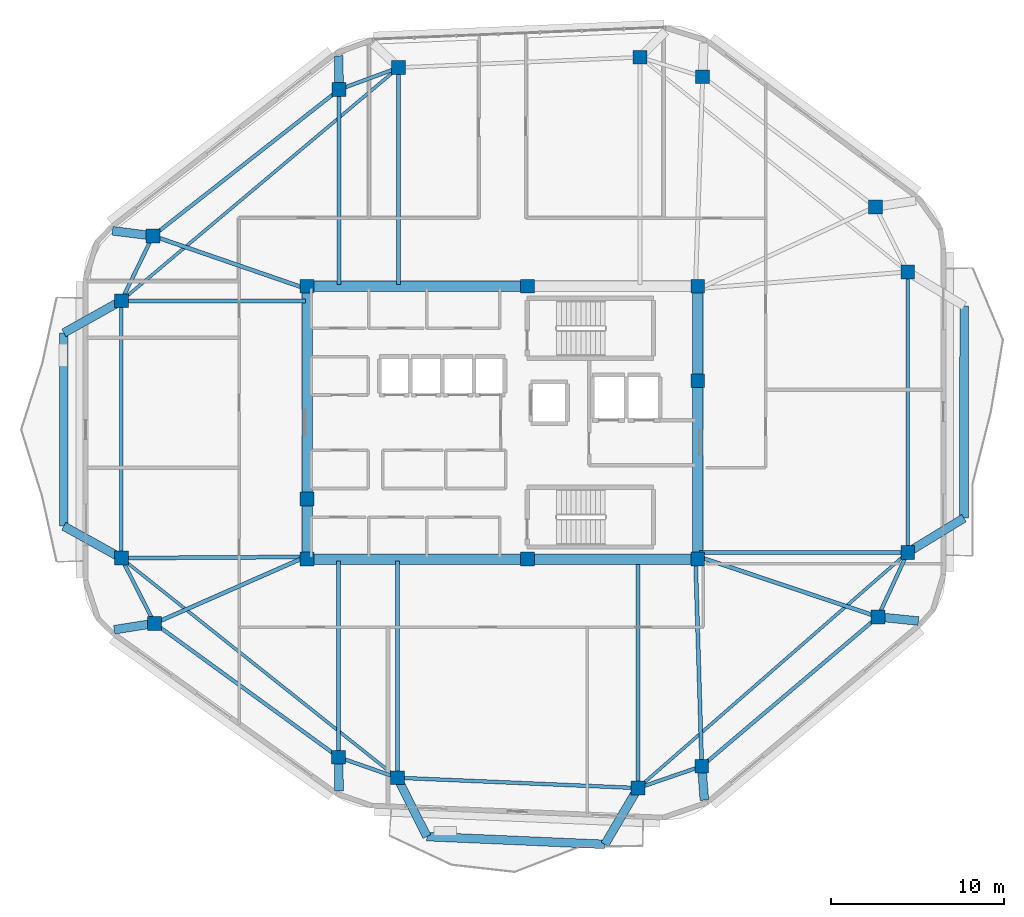
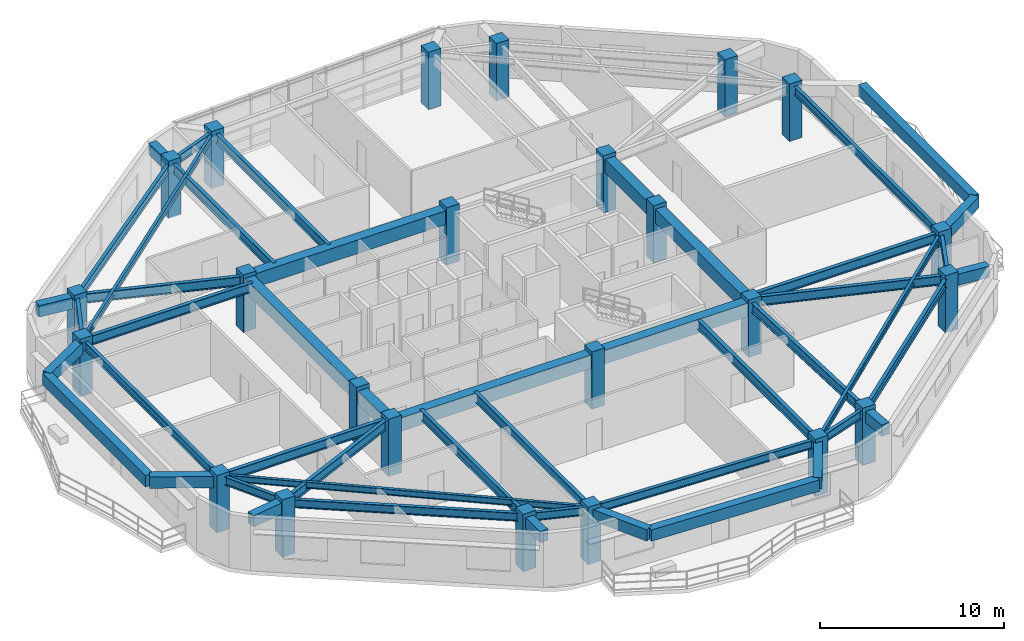
# One storey, part 1 of 12: 48 beams, 24 columns.
"""IFC4 building model written with IfcOpenShell, lengths in metres."""

from ifc_helpers import new_model, si_unit, direction, frame, origin, origin_2d, place, context, subcontext, project, spatial, rectangle, i_section, extrude, material, material_profile, profile_set, type_object, element, save


model = new_model("IFC4")

# Units and contexts
model_context = context("Model", 3, precision=1e-05, world=origin(), true_north=direction((0.0, 1.0)))
body_context = subcontext(model_context, "Body", "Model", "MODEL_VIEW")
ifc_project = project(units=[si_unit("LENGTHUNIT", "METRE"), si_unit("AREAUNIT", "SQUARE_METRE"), si_unit("VOLUMEUNIT", "CUBIC_METRE"), si_unit("PLANEANGLEUNIT", "RADIAN"), si_unit("MASSUNIT", "GRAM", prefix="KILO")], contexts=[model_context])

# Site, building, storey
site_placement = place(None, origin())
site = spatial("IfcSite", under=ifc_project, at=site_placement, CompositionType="ELEMENT")
building_placement = place(site_placement, origin())
building = spatial("IfcBuilding", under=site, at=building_placement, Name="Zulverin Broadcast Headquarters", CompositionType="ELEMENT")
storey_placement = place(building_placement, frame((0.0, 0.0, 289.60009765625)))
storey = spatial("IfcBuildingStorey", under=building, at=storey_placement, Name="L74", CompositionType="ELEMENT", Elevation=289.60009765625)

# Columns
ifc_material_1 = material(Name="Concrete C50/60", Category="concrete")
ifc_material_profile_1 = material_profile(ifc_material_1, rectangle(XDim=0.800048828125, YDim=0.800048828125, at=origin_2d()), Name="Concrete C50/60", Category="concrete")
ifc_profile_set_1 = profile_set([ifc_material_profile_1], Name="Concrete C50/60")
column_type_1 = type_object("IfcColumnType", Name="COL-RC-800", PredefinedType="COLUMN", material=ifc_profile_set_1)
for number, where, z_axis, x_axis, name in (
    (1, (30.93359375, 4.703125, 0.0), (0.0, 0.0, 1.0), (1.0, 0.0, 0.0), "L74 Perimeter Column T01"),
    (2, (44.826904296875, 4.1083984375, 0.0), (0.0, 0.0, 1.0), (1.0, 0.0, 0.0), "L74 Perimeter Column T02"),
    (3, (48.5078125, 5.3701171875, 0.0), (0.0, 0.0, 1.0), (1.0, 0.0, 0.0), "L74 Perimeter Column T03"),
    (4, (58.6748046875, 13.9892578125, 0.0), (0.0, 0.0, 1.0), (1.0, 0.0, 0.0), "L74 Perimeter Column T04"),
    (5, (60.39990234375, 17.713623046875, 0.0), (0.0, 0.0, 1.0), (1.0, 0.0, 0.0), "L74 Perimeter Column T05"),
    (6, (60.39990234375, 33.903076171875, 0.0), (0.0, 0.0, 1.0), (1.0, 0.0, 0.0), "L74 Perimeter Column T06"),
    (7, (58.52587890625, 37.661865234375, 0.0), (0.0, 0.0, 1.0), (1.0, 0.0, 0.0), "L74 Perimeter Column T07"),
    (8, (48.55908203125, 45.172607421875, 0.0), (0.0, 0.0, 1.0), (1.0, 0.0, 0.0), "L74 Perimeter Column T08"),
    (9, (44.944580078125, 46.296630859375, 0.0), (0.0, 0.0, 1.0), (1.0, 0.0, 0.0), "L74 Perimeter Column T09"),
    (10, (31.006591796875, 45.699951171875, 0.0), (0.0, 0.0, 1.0), (1.0, 0.0, 0.0), "L74 Perimeter Column T10"),
    (11, (27.573486328125, 44.4296875, 0.0), (0.0, 0.0, 1.0), (1.0, 0.0, 0.0), "L74 Perimeter Column T11"),
    (12, (16.82177734375, 35.98388671875, 0.0), (0.0, 0.0, 1.0), (1.0, 0.0, 0.0), "L74 Perimeter Column T12"),
    (13, (15.0, 32.236083984375, 0.0), (0.0, 0.0, 1.0), (1.0, 0.0, 0.0), "L74 Perimeter Column T13"),
    (14, (15.0, 17.383056640625, 0.0), (0.0, 0.0, 1.0), (1.0, 0.0, 0.0), "L74 Perimeter Column T14"),
    (15, (16.918212890625, 13.61572265625, 0.0), (0.0, 0.0, 1.0), (1.0, 0.0, 0.0), "L74 Perimeter Column T15"),
    (16, (27.54541015625, 5.8857421875, 0.0), (0.0, 0.0, 1.0), (1.0, 0.0, 0.0), "L74 Perimeter Column T16"),
):
    element("IfcColumn", number, at=place(storey_placement, frame(where, z_axis=z_axis, x_axis=x_axis)), inside=storey, type_object=column_type_1, Name=name, PredefinedType="COLUMN", context=body_context, shape_type="SweptSolid", body=[
        extrude(rectangle(XDim=0.800048828125, YDim=0.800048828125, at=origin_2d()), origin(), (0.0, 0.0, 1.0), 3.7998046875),
    ])
ifc_material_profile_2 = material_profile(ifc_material_1, rectangle(XDim=0.800048828125, YDim=0.800048828125, at=origin_2d()), Name="Concrete C50/60", Category="concrete")
ifc_profile_set_2 = profile_set([ifc_material_profile_2], Name="Concrete C50/60")
column_type_2 = type_object("IfcColumnType", Name="PIL-RC-800", PredefinedType="PILASTER", material=ifc_profile_set_2)
for number, where, z_axis, x_axis, name in (
    (17, (25.72509765625, 17.324951171875, 0.0), (0.0, 0.0, 1.0), (1.0, 0.0, 0.0), "L74 Core Pilaster K01"),
    (18, (38.449951171875, 17.324951171875, 0.0), (0.0, 0.0, 1.0), (1.0, 0.0, 0.0), "L74 Core Pilaster K02"),
    (19, (48.27490234375, 17.324951171875, 0.0), (0.0, 0.0, 1.0), (1.0, 0.0, 0.0), "L74 Core Pilaster K03"),
    (20, (48.27490234375, 27.6201171875, 0.0), (0.0, 0.0, 1.0), (1.0, 0.0, 0.0), "L74 Core Pilaster K04"),
    (21, (48.27490234375, 33.074951171875, 0.0), (0.0, 0.0, 1.0), (1.0, 0.0, 0.0), "L74 Core Pilaster K05"),
    (22, (38.449951171875, 33.074951171875, 0.0), (0.0, 0.0, 1.0), (1.0, 0.0, 0.0), "L74 Core Pilaster K06"),
    (23, (25.72509765625, 33.074951171875, 0.0), (0.0, 0.0, 1.0), (1.0, 0.0, 0.0), "L74 Core Pilaster K07"),
    (24, (25.72509765625, 20.800048828125, 0.0), (0.0, 0.0, 1.0), (1.0, 0.0, 0.0), "L74 Core Pilaster K08"),
):
    element("IfcColumn", number, at=place(storey_placement, frame(where, z_axis=z_axis, x_axis=x_axis)), inside=storey, type_object=column_type_2, Name=name, PredefinedType="PILASTER", context=body_context, shape_type="SweptSolid", body=[
        extrude(rectangle(XDim=0.800048828125, YDim=0.800048828125, at=origin_2d()), origin(), (0.0, 0.0, 1.0), 3.7998046875),
    ])

# Beams
ifc_material_2 = material(Name="Concrete C60/75", Category="concrete")
ifc_material_profile_3 = material_profile(ifc_material_2, rectangle(XDim=0.60009765625, YDim=0.89990234375, at=origin_2d()), Name="Concrete C60/75", Category="concrete")
ifc_profile_set_3 = profile_set([ifc_material_profile_3], Name="Concrete C60/75")
beam_type_1 = type_object("IfcBeamType", Name="BM-CB-600x900", PredefinedType="LINTEL", material=ifc_profile_set_3)
beam_1_placement = place(storey_placement, frame((25.72509765625, 17.324951171875, 3.08984375), z_axis=(1.0, 0.0, 0.0), x_axis=(0.0, 1.0, 0.0)))
element("IfcBeam", 25, at=beam_1_placement, inside=storey, type_object=beam_type_1, Name="L74 Core Coupling Girder K01-K02", PredefinedType="LINTEL", context=body_context, shape_type="SweptSolid", body=[
    extrude(rectangle(XDim=0.60009765625, YDim=0.89990234375, at=origin_2d()), origin(), (0.0, 0.0, 1.0), 12.724853515625),
])
beam_2_placement = place(storey_placement, frame((38.449951171875, 17.324951171875, 3.08984375), z_axis=(1.0, 0.0, 0.0), x_axis=(0.0, 1.0, 0.0)))
element("IfcBeam", 26, at=beam_2_placement, inside=storey, type_object=beam_type_1, Name="L74 Core Coupling Girder K02-K03", PredefinedType="LINTEL", context=body_context, shape_type="SweptSolid", body=[
    extrude(rectangle(XDim=0.60009765625, YDim=0.89990234375, at=origin_2d()), origin(), (0.0, 0.0, 1.0), 9.824951171875),
])
beam_3_placement = place(storey_placement, frame((48.27490234375, 17.324951171875, 3.08984375), z_axis=(0.0, 1.0, 0.0), x_axis=(-1.0, 0.0, 0.0)))
element("IfcBeam", 27, at=beam_3_placement, inside=storey, type_object=beam_type_1, Name="L74 Core Coupling Girder K03-K04", PredefinedType="LINTEL", context=body_context, shape_type="SweptSolid", body=[
    extrude(rectangle(XDim=0.60009765625, YDim=0.89990234375, at=origin_2d()), origin(), (0.0, 0.0, 1.0), 10.295166015625),
])
beam_4_placement = place(storey_placement, frame((48.27490234375, 27.6201171875, 3.08984375), z_axis=(0.0, 1.0, 0.0), x_axis=(-1.0, 0.0, 0.0)))
element("IfcBeam", 28, at=beam_4_placement, inside=storey, type_object=beam_type_1, Name="L74 Core Coupling Girder K04-K05", PredefinedType="LINTEL", context=body_context, shape_type="SweptSolid", body=[
    extrude(rectangle(XDim=0.60009765625, YDim=0.89990234375, at=origin_2d()), origin(), (0.0, 0.0, 1.0), 5.454833984375),
])
beam_5_placement = place(storey_placement, frame((38.449951171875, 33.074951171875, 3.08984375), z_axis=(-1.0, 0.0, 0.0), x_axis=(0.0, -1.0, 0.0)))
element("IfcBeam", 29, at=beam_5_placement, inside=storey, type_object=beam_type_1, Name="L74 Core Coupling Girder K06-K07", PredefinedType="LINTEL", context=body_context, shape_type="SweptSolid", body=[
    extrude(rectangle(XDim=0.60009765625, YDim=0.89990234375, at=origin_2d()), origin(), (0.0, 0.0, 1.0), 12.724853515625),
])
beam_6_placement = place(storey_placement, frame((25.72509765625, 33.074951171875, 3.08984375), z_axis=(0.0, -1.0, 0.0), x_axis=(1.0, 0.0, 0.0)))
element("IfcBeam", 30, at=beam_6_placement, inside=storey, type_object=beam_type_1, Name="L74 Core Coupling Girder K07-K08", PredefinedType="LINTEL", context=body_context, shape_type="SweptSolid", body=[
    extrude(rectangle(XDim=0.60009765625, YDim=0.89990234375, at=origin_2d()), origin(), (0.0, 0.0, 1.0), 12.27490234375),
])
beam_7_placement = place(storey_placement, frame((25.72509765625, 20.800048828125, 3.08984375), z_axis=(0.0, -1.0, 0.0), x_axis=(1.0, 0.0, 0.0)))
element("IfcBeam", 31, at=beam_7_placement, inside=storey, type_object=beam_type_1, Name="L74 Core Coupling Girder K08-K01", PredefinedType="LINTEL", context=body_context, shape_type="SweptSolid", body=[
    extrude(rectangle(XDim=0.60009765625, YDim=0.89990234375, at=origin_2d()), origin(), (0.0, 0.0, 1.0), 3.47509765625),
])
ifc_material_3 = material(Name="Concrete C40/50", Category="concrete")
ifc_material_profile_4 = material_profile(ifc_material_3, rectangle(XDim=0.5, YDim=0.75, at=origin_2d()), Name="Concrete C40/50", Category="concrete")
ifc_profile_set_4 = profile_set([ifc_material_profile_4], Name="Concrete C40/50")
beam_type_2 = type_object("IfcBeamType", Name="BM-RC-500x750", PredefinedType="BEAM", material=ifc_profile_set_4)
beam_8_placement = place(storey_placement, frame((48.5078125, 5.3701171875, 3.164794921875), z_axis=(0.074434680239, -0.997225891349, 0.0), x_axis=(0.997225891349, 0.074434680239, 0.0)))
element("IfcBeam", 32, at=beam_8_placement, inside=storey, type_object=beam_type_2, Name="L75 Plate Overhang Back-Spanned Beam OVR-03", PredefinedType="BEAM", context=body_context, shape_type="SweptSolid", body=[
    extrude(rectangle(XDim=0.5, YDim=0.75, at=origin_2d()), origin(), (0.0, 0.0, 1.0), 1.964599609375),
])
beam_9_placement = place(storey_placement, frame((58.6748046875, 13.9892578125, 3.164794921875), z_axis=(0.994775761489, -0.10208420227, 0.0), x_axis=(0.10208420227, 0.994775761489, 0.0)))
element("IfcBeam", 33, at=beam_9_placement, inside=storey, type_object=beam_type_2, Name="L75 Plate Overhang Back-Spanned Beam OVR-04", PredefinedType="BEAM", context=body_context, shape_type="SweptSolid", body=[
    extrude(rectangle(XDim=0.5, YDim=0.75, at=origin_2d()), origin(), (0.0, 0.0, 1.0), 2.350830078125),
])
beam_10_placement = place(storey_placement, frame((27.573486328125, 44.4296875, 3.164794921875), z_axis=(-0.015261577794, 0.99988353534, 0.0), x_axis=(-0.99988353534, -0.015261577794, 0.0)))
element("IfcBeam", 34, at=beam_10_placement, inside=storey, type_object=beam_type_2, Name="L75 Plate Overhang Back-Spanned Beam OVR-11", PredefinedType="BEAM", context=body_context, shape_type="SweptSolid", body=[
    extrude(rectangle(XDim=0.5, YDim=0.75, at=origin_2d()), origin(), (0.0, 0.0, 1.0), 1.95166015625),
])
beam_11_placement = place(storey_placement, frame((16.82177734375, 35.98388671875, 3.164794921875), z_axis=(-0.992249101717, 0.124264718012, 0.0), x_axis=(-0.124264718012, -0.992249101717, 0.0)))
element("IfcBeam", 35, at=beam_11_placement, inside=storey, type_object=beam_type_2, Name="L75 Plate Overhang Back-Spanned Beam OVR-12", PredefinedType="BEAM", context=body_context, shape_type="SweptSolid", body=[
    extrude(rectangle(XDim=0.5, YDim=0.75, at=origin_2d()), origin(), (0.0, 0.0, 1.0), 2.351806640625),
])
beam_12_placement = place(storey_placement, frame((16.918212890625, 13.61572265625, 3.164794921875), z_axis=(-0.987723457787, -0.156212582521, 0.0), x_axis=(0.156212582521, -0.987723457787, 0.0)))
element("IfcBeam", 36, at=beam_12_placement, inside=storey, type_object=beam_type_2, Name="L75 Plate Overhang Back-Spanned Beam OVR-15", PredefinedType="BEAM", context=body_context, shape_type="SweptSolid", body=[
    extrude(rectangle(XDim=0.5, YDim=0.75, at=origin_2d()), origin(), (0.0, 0.0, 1.0), 2.35693359375),
])
beam_13_placement = place(storey_placement, frame((27.54541015625, 5.8857421875, 3.164794921875), z_axis=(0.012082189143, -0.999927007689, 0.0), x_axis=(0.999927007689, 0.012082189143, 0.0)))
element("IfcBeam", 37, at=beam_13_placement, inside=storey, type_object=beam_type_2, Name="L75 Plate Overhang Back-Spanned Beam OVR-16", PredefinedType="BEAM", context=body_context, shape_type="SweptSolid", body=[
    extrude(rectangle(XDim=0.5, YDim=0.75, at=origin_2d()), origin(), (0.0, 0.0, 1.0), 1.93994140625),
])
beam_14_placement = place(storey_placement, frame((60.39990234375, 17.713623046875, 3.164794921875), z_axis=(0.853361233194, 0.521320060694, 0.0), x_axis=(-0.521320060694, 0.853361233194, 0.0)))
element("IfcBeam", 38, at=beam_14_placement, inside=storey, type_object=beam_type_2, Name="L75 Balcony Column-Framed Cantilever BAL_E-1", PredefinedType="BEAM", context=body_context, shape_type="SweptSolid", body=[
    extrude(rectangle(XDim=0.5, YDim=0.75, at=origin_2d()), origin(), (0.0, 0.0, 1.0), 3.7998046875),
])
beam_15_placement = place(storey_placement, frame((63.642578125, 19.694580078125, 3.164794921875), z_axis=(0.000757802156, 0.999999712868, 0.0), x_axis=(-0.999999712868, 0.000757802156, 0.0)))
element("IfcBeam", 39, at=beam_15_placement, inside=storey, type_object=beam_type_2, Name="L75 Balcony Outer Edge Trimmer Beam BAL_E", PredefinedType="BEAM", context=body_context, shape_type="SweptSolid", body=[
    extrude(rectangle(XDim=0.5, YDim=0.75, at=origin_2d()), origin(), (0.0, 0.0, 1.0), 12.242431640625),
])
beam_16_placement = place(storey_placement, frame((30.93359375, 4.703125, 3.164794921875), z_axis=(0.448138545503, -0.893964117868, 0.0), x_axis=(0.893964117868, 0.448138545503, 0.0)))
element("IfcBeam", 40, at=beam_16_placement, inside=storey, type_object=beam_type_2, Name="L75 Balcony Column-Framed Cantilever BAL_S-1", PredefinedType="BEAM", context=body_context, shape_type="SweptSolid", body=[
    extrude(rectangle(XDim=0.5, YDim=0.75, at=origin_2d()), origin(), (0.0, 0.0, 1.0), 3.7998046875),
])
beam_17_placement = place(storey_placement, frame((44.826904296875, 4.1083984375, 3.164794921875), z_axis=(-0.506955055331, -0.861972489047, 0.0), x_axis=(0.861972489047, -0.506955055331, 0.0)))
element("IfcBeam", 41, at=beam_17_placement, inside=storey, type_object=beam_type_2, Name="L75 Balcony Column-Framed Cantilever BAL_S-2", PredefinedType="BEAM", context=body_context, shape_type="SweptSolid", body=[
    extrude(rectangle(XDim=0.5, YDim=0.75, at=origin_2d()), origin(), (0.0, 0.0, 1.0), 3.771240234375),
])
beam_18_placement = place(storey_placement, frame((32.636474609375, 1.30615234375, 3.164794921875), z_axis=(0.999049430425, -0.043591691496, 0.0), x_axis=(0.043591691496, 0.999049430425, 0.0)))
element("IfcBeam", 42, at=beam_18_placement, inside=storey, type_object=beam_type_2, Name="L75 Balcony Outer Edge Trimmer Beam BAL_S", PredefinedType="BEAM", context=body_context, shape_type="SweptSolid", body=[
    extrude(rectangle(XDim=0.5, YDim=0.75, at=origin_2d()), origin(), (0.0, 0.0, 1.0), 10.288330078125),
])
for number, where, z_axis, x_axis, name in (
    (43, (15.0, 32.236083984375, 3.164794921875), (-0.873048873834, -0.487632714137, 0.0), (0.487632714137, -0.873048873834, 0.0), "L75 Balcony Column-Framed Cantilever BAL_W-1"),
    (44, (15.0, 17.383056640625, 3.164794921875), (-0.874614506894, 0.484819001618, 0.0), (-0.484819001618, -0.874614506894, 0.0), "L75 Balcony Column-Framed Cantilever BAL_W-2"),
):
    element("IfcBeam", number, at=place(storey_placement, frame(where, z_axis=z_axis, x_axis=x_axis)), inside=storey, type_object=beam_type_2, Name=name, PredefinedType="BEAM", context=body_context, shape_type="SweptSolid", body=[
        extrude(rectangle(XDim=0.5, YDim=0.75, at=origin_2d()), origin(), (0.0, 0.0, 1.0), 3.800048828125),
    ])
beam_19_placement = place(storey_placement, frame((11.682373046875, 30.383056640625, 3.164794921875), z_axis=(-0.000525141059, -0.999999862113, 0.0), x_axis=(0.999999862113, -0.000525141059, 0.0)))
element("IfcBeam", 45, at=beam_19_placement, inside=storey, type_object=beam_type_2, Name="L75 Balcony Outer Edge Trimmer Beam BAL_W", PredefinedType="BEAM", context=body_context, shape_type="SweptSolid", body=[
    extrude(rectangle(XDim=0.5, YDim=0.75, at=origin_2d()), origin(), (0.0, 0.0, 1.0), 11.15771484375),
])
ifc_material_4 = material(Name="Structural steel S355JR", Category="steel")
ifc_material_profile_5 = material_profile(ifc_material_4, i_section(OverallWidth=0.179443359375, OverallDepth=0.412841796875, WebThickness=0.009521484375, FlangeThickness=0.01611328125, at=origin_2d()), Name="Structural steel S355JR", Category="steel")
ifc_profile_set_5 = profile_set([ifc_material_profile_5], Name="Structural steel S355JR")
beam_type_3 = type_object("IfcBeamType", Name="BM-UB-406", PredefinedType="JOIST", material=ifc_profile_set_5)
beam_20_placement = place(storey_placement, frame((44.826904296875, 4.1083984375, 3.33349609375), z_axis=(0.753083303383, 0.657925176723, 0.0), x_axis=(-0.657925176723, 0.753083303383, 0.0)))
element("IfcBeam", 46, at=beam_20_placement, inside=storey, type_object=beam_type_3, Name="L74 Chordal Floor Joist J-01", PredefinedType="JOIST", context=body_context, shape_type="SweptSolid", body=[
    extrude(i_section(OverallWidth=0.179443359375, OverallDepth=0.412841796875, WebThickness=0.009521484375, FlangeThickness=0.01611328125, at=origin_2d()), origin(), (0.0, 0.0, 1.0), 20.678955078125),
])
beam_21_placement = place(storey_placement, frame((31.006591796875, 45.699951171875, 3.33349609375), z_axis=(-0.765273089862, -0.643705754156, 0.0), x_axis=(0.643705754156, -0.765273089862, 0.0)))
element("IfcBeam", 47, at=beam_21_placement, inside=storey, type_object=beam_type_3, Name="L74 Chordal Floor Joist J-03", PredefinedType="JOIST", context=body_context, shape_type="SweptSolid", body=[
    extrude(i_section(OverallWidth=0.179443359375, OverallDepth=0.412841796875, WebThickness=0.009521484375, FlangeThickness=0.01611328125, at=origin_2d()), origin(), (0.0, 0.0, 1.0), 20.916259765625),
])
beam_22_placement = place(storey_placement, frame((15.0, 17.383056640625, 3.33349609375), z_axis=(0.782469878912, -0.622688436214, 0.0), x_axis=(0.622688436214, 0.782469878912, 0.0)))
element("IfcBeam", 48, at=beam_22_placement, inside=storey, type_object=beam_type_3, Name="L74 Chordal Floor Joist J-04", PredefinedType="JOIST", context=body_context, shape_type="SweptSolid", body=[
    extrude(i_section(OverallWidth=0.179443359375, OverallDepth=0.412841796875, WebThickness=0.009521484375, FlangeThickness=0.01611328125, at=origin_2d()), origin(), (0.0, 0.0, 1.0), 20.36328125),
])
ifc_material_profile_6 = material_profile(ifc_material_4, i_section(OverallWidth=0.2119140625, OverallDepth=0.54443359375, WebThickness=0.0126953125, FlangeThickness=0.021240234375, at=origin_2d()), Name="Structural steel S355JR", Category="steel")
ifc_profile_set_6 = profile_set([ifc_material_profile_6], Name="Structural steel S355JR")
beam_type_4 = type_object("IfcBeamType", Name="BM-UB-533", PredefinedType="SPANDREL", material=ifc_profile_set_6)
beam_23_placement = place(storey_placement, frame((30.93359375, 4.703125, 3.267822265625), z_axis=(0.999085051108, -0.042767518662, 0.0), x_axis=(0.042767518662, 0.999085051108, 0.0)))
element("IfcBeam", 49, at=beam_23_placement, inside=storey, type_object=beam_type_4, Name="L74 Perimeter Spandrel Beam SP-01", PredefinedType="SPANDREL", context=body_context, shape_type="SweptSolid", body=[
    extrude(i_section(OverallWidth=0.2119140625, OverallDepth=0.54443359375, WebThickness=0.0126953125, FlangeThickness=0.021240234375, at=origin_2d()), origin(), (0.0, 0.0, 1.0), 13.906005859375),
])
beam_24_placement = place(storey_placement, frame((44.826904296875, 4.1083984375, 3.267822265625), z_axis=(0.945970142065, 0.324253743728, 0.0), x_axis=(-0.324253743728, 0.945970142065, 0.0)))
element("IfcBeam", 50, at=beam_24_placement, inside=storey, type_object=beam_type_4, Name="L74 Perimeter Spandrel Beam SP-02", PredefinedType="SPANDREL", context=body_context, shape_type="SweptSolid", body=[
    extrude(i_section(OverallWidth=0.2119140625, OverallDepth=0.54443359375, WebThickness=0.0126953125, FlangeThickness=0.021240234375, at=origin_2d()), origin(), (0.0, 0.0, 1.0), 3.89111328125),
])
beam_25_placement = place(storey_placement, frame((48.5078125, 5.3701171875, 3.267822265625), z_axis=(0.762782889345, 0.646654671152, 0.0), x_axis=(-0.646654671152, 0.762782889345, 0.0)))
element("IfcBeam", 51, at=beam_25_placement, inside=storey, type_object=beam_type_4, Name="L74 Perimeter Spandrel Beam SP-03", PredefinedType="SPANDREL", context=body_context, shape_type="SweptSolid", body=[
    extrude(i_section(OverallWidth=0.2119140625, OverallDepth=0.54443359375, WebThickness=0.0126953125, FlangeThickness=0.021240234375, at=origin_2d()), origin(), (0.0, 0.0, 1.0), 13.328857421875),
])
beam_26_placement = place(storey_placement, frame((58.6748046875, 13.9892578125, 3.267822265625), z_axis=(0.420294999852, 0.907387520908, 0.0), x_axis=(-0.907387520908, 0.420294999852, 0.0)))
element("IfcBeam", 52, at=beam_26_placement, inside=storey, type_object=beam_type_4, Name="L74 Perimeter Spandrel Beam SP-04", PredefinedType="SPANDREL", context=body_context, shape_type="SweptSolid", body=[
    extrude(i_section(OverallWidth=0.2119140625, OverallDepth=0.54443359375, WebThickness=0.0126953125, FlangeThickness=0.021240234375, at=origin_2d()), origin(), (0.0, 0.0, 1.0), 4.1044921875),
])
beam_27_placement = place(storey_placement, frame((60.39990234375, 17.713623046875, 3.267822265625), z_axis=(0.0, 1.0, 0.0), x_axis=(-1.0, 0.0, 0.0)))
element("IfcBeam", 53, at=beam_27_placement, inside=storey, type_object=beam_type_4, Name="L74 Perimeter Spandrel Beam SP-05", PredefinedType="SPANDREL", context=body_context, shape_type="SweptSolid", body=[
    extrude(i_section(OverallWidth=0.2119140625, OverallDepth=0.54443359375, WebThickness=0.0126953125, FlangeThickness=0.021240234375, at=origin_2d()), origin(), (0.0, 0.0, 1.0), 16.189453125),
])
beam_28_placement = place(storey_placement, frame((31.006591796875, 45.699951171875, 3.267822265625), z_axis=(-0.937860540342, -0.347012401607, 0.0), x_axis=(0.347012401607, -0.937860540342, 0.0)))
element("IfcBeam", 54, at=beam_28_placement, inside=storey, type_object=beam_type_4, Name="L74 Perimeter Spandrel Beam SP-10", PredefinedType="SPANDREL", context=body_context, shape_type="SweptSolid", body=[
    extrude(i_section(OverallWidth=0.2119140625, OverallDepth=0.54443359375, WebThickness=0.0126953125, FlangeThickness=0.021240234375, at=origin_2d()), origin(), (0.0, 0.0, 1.0), 3.66064453125),
])
beam_29_placement = place(storey_placement, frame((27.573486328125, 44.4296875, 3.267822265625), z_axis=(-0.786388352061, -0.617732433779, 0.0), x_axis=(0.617732433779, -0.786388352061, 0.0)))
element("IfcBeam", 55, at=beam_29_placement, inside=storey, type_object=beam_type_4, Name="L74 Perimeter Spandrel Beam SP-11", PredefinedType="SPANDREL", context=body_context, shape_type="SweptSolid", body=[
    extrude(i_section(OverallWidth=0.2119140625, OverallDepth=0.54443359375, WebThickness=0.0126953125, FlangeThickness=0.021240234375, at=origin_2d()), origin(), (0.0, 0.0, 1.0), 13.67236328125),
])
beam_30_placement = place(storey_placement, frame((16.82177734375, 35.98388671875, 3.267822265625), z_axis=(-0.437178884994, -0.899374572976, 0.0), x_axis=(0.899374572976, -0.437178884994, 0.0)))
element("IfcBeam", 56, at=beam_30_placement, inside=storey, type_object=beam_type_4, Name="L74 Perimeter Spandrel Beam SP-12", PredefinedType="SPANDREL", context=body_context, shape_type="SweptSolid", body=[
    extrude(i_section(OverallWidth=0.2119140625, OverallDepth=0.54443359375, WebThickness=0.0126953125, FlangeThickness=0.021240234375, at=origin_2d()), origin(), (0.0, 0.0, 1.0), 4.167236328125),
])
beam_31_placement = place(storey_placement, frame((15.0, 32.236083984375, 3.267822265625), z_axis=(0.0, -1.0, 0.0), x_axis=(1.0, 0.0, 0.0)))
element("IfcBeam", 57, at=beam_31_placement, inside=storey, type_object=beam_type_4, Name="L74 Perimeter Spandrel Beam SP-13", PredefinedType="SPANDREL", context=body_context, shape_type="SweptSolid", body=[
    extrude(i_section(OverallWidth=0.2119140625, OverallDepth=0.54443359375, WebThickness=0.0126953125, FlangeThickness=0.021240234375, at=origin_2d()), origin(), (0.0, 0.0, 1.0), 14.85302734375),
])
beam_32_placement = place(storey_placement, frame((15.0, 17.383056640625, 3.267822265625), z_axis=(0.453738909408, -0.89113467113, 0.0), x_axis=(0.89113467113, 0.453738909408, 0.0)))
element("IfcBeam", 58, at=beam_32_placement, inside=storey, type_object=beam_type_4, Name="L74 Perimeter Spandrel Beam SP-14", PredefinedType="SPANDREL", context=body_context, shape_type="SweptSolid", body=[
    extrude(i_section(OverallWidth=0.2119140625, OverallDepth=0.54443359375, WebThickness=0.0126953125, FlangeThickness=0.021240234375, at=origin_2d()), origin(), (0.0, 0.0, 1.0), 4.2275390625),
])
beam_33_placement = place(storey_placement, frame((16.918212890625, 13.61572265625, 3.267822265625), z_axis=(0.808695913066, -0.588226929162, 0.0), x_axis=(0.588226929162, 0.808695913066, 0.0)))
element("IfcBeam", 59, at=beam_33_placement, inside=storey, type_object=beam_type_4, Name="L74 Perimeter Spandrel Beam SP-15", PredefinedType="SPANDREL", context=body_context, shape_type="SweptSolid", body=[
    extrude(i_section(OverallWidth=0.2119140625, OverallDepth=0.54443359375, WebThickness=0.0126953125, FlangeThickness=0.021240234375, at=origin_2d()), origin(), (0.0, 0.0, 1.0), 13.14111328125),
])
beam_34_placement = place(storey_placement, frame((27.54541015625, 5.8857421875, 3.267822265625), z_axis=(0.944140138036, -0.329544230339, 0.0), x_axis=(0.329544230339, 0.944140138036, 0.0)))
element("IfcBeam", 60, at=beam_34_placement, inside=storey, type_object=beam_type_4, Name="L74 Perimeter Spandrel Beam SP-16", PredefinedType="SPANDREL", context=body_context, shape_type="SweptSolid", body=[
    extrude(i_section(OverallWidth=0.2119140625, OverallDepth=0.54443359375, WebThickness=0.0126953125, FlangeThickness=0.021240234375, at=origin_2d()), origin(), (0.0, 0.0, 1.0), 3.588623046875),
])
ifc_material_profile_7 = material_profile(ifc_material_4, i_section(OverallWidth=0.230224609375, OverallDepth=0.6171875, WebThickness=0.01318359375, FlangeThickness=0.022216796875, at=origin_2d()), Name="Structural steel S355JR", Category="steel")
ifc_profile_set_7 = profile_set([ifc_material_profile_7], Name="Structural steel S355JR")
beam_type_5 = type_object("IfcBeamType", Name="BM-UB-610", PredefinedType="BEAM", material=ifc_profile_set_7)
beam_35_placement = place(storey_placement, frame((30.93359375, 17.22509765625, 3.231201171875), z_axis=(0.0, -1.0, 0.0), x_axis=(1.0, 0.0, 0.0)))
element("IfcBeam", 61, at=beam_35_placement, inside=storey, type_object=beam_type_5, Name="L74 Radial Primary Floor Beam RB-01", PredefinedType="BEAM", context=body_context, shape_type="SweptSolid", body=[
    extrude(i_section(OverallWidth=0.230224609375, OverallDepth=0.6171875, WebThickness=0.01318359375, FlangeThickness=0.022216796875, at=origin_2d()), origin(), (0.0, 0.0, 1.0), 12.52197265625),
])
beam_36_placement = place(storey_placement, frame((44.826904296875, 17.22509765625, 3.231201171875), z_axis=(0.0, -1.0, 0.0), x_axis=(1.0, 0.0, 0.0)))
element("IfcBeam", 62, at=beam_36_placement, inside=storey, type_object=beam_type_5, Name="L74 Radial Primary Floor Beam RB-02", PredefinedType="BEAM", context=body_context, shape_type="SweptSolid", body=[
    extrude(i_section(OverallWidth=0.230224609375, OverallDepth=0.6171875, WebThickness=0.01318359375, FlangeThickness=0.022216796875, at=origin_2d()), origin(), (0.0, 0.0, 1.0), 13.11669921875),
])
beam_37_placement = place(storey_placement, frame((48.14990234375, 17.22509765625, 3.231201171875), z_axis=(0.030176950096, -0.999544572134, 0.0), x_axis=(0.999544572134, 0.030176950096, 0.0)))
element("IfcBeam", 63, at=beam_37_placement, inside=storey, type_object=beam_type_5, Name="L74 Radial Primary Floor Beam RB-03", PredefinedType="BEAM", context=body_context, shape_type="SweptSolid", body=[
    extrude(i_section(OverallWidth=0.230224609375, OverallDepth=0.6171875, WebThickness=0.01318359375, FlangeThickness=0.022216796875, at=origin_2d()), origin(), (0.0, 0.0, 1.0), 11.8603515625),
])
beam_38_placement = place(storey_placement, frame((48.375, 17.449951171875, 3.231201171875), z_axis=(0.947923372096, -0.318498478228, 0.0), x_axis=(0.318498478228, 0.947923372096, 0.0)))
element("IfcBeam", 64, at=beam_38_placement, inside=storey, type_object=beam_type_5, Name="L74 Radial Primary Floor Beam RB-04", PredefinedType="BEAM", context=body_context, shape_type="SweptSolid", body=[
    extrude(i_section(OverallWidth=0.230224609375, OverallDepth=0.6171875, WebThickness=0.01318359375, FlangeThickness=0.022216796875, at=origin_2d()), origin(), (0.0, 0.0, 1.0), 10.86572265625),
])
beam_39_placement = place(storey_placement, frame((48.375, 17.713623046875, 3.231201171875), z_axis=(1.0, 0.0, 0.0), x_axis=(0.0, 1.0, 0.0)))
element("IfcBeam", 65, at=beam_39_placement, inside=storey, type_object=beam_type_5, Name="L74 Radial Primary Floor Beam RB-05", PredefinedType="BEAM", context=body_context, shape_type="SweptSolid", body=[
    extrude(i_section(OverallWidth=0.230224609375, OverallDepth=0.6171875, WebThickness=0.01318359375, FlangeThickness=0.022216796875, at=origin_2d()), origin(), (0.0, 0.0, 1.0), 12.02490234375),
])
beam_40_placement = place(storey_placement, frame((31.006591796875, 33.175048828125, 3.231201171875), z_axis=(0.0, 1.0, 0.0), x_axis=(-1.0, 0.0, 0.0)))
element("IfcBeam", 66, at=beam_40_placement, inside=storey, type_object=beam_type_5, Name="L74 Radial Primary Floor Beam RB-10", PredefinedType="BEAM", context=body_context, shape_type="SweptSolid", body=[
    extrude(i_section(OverallWidth=0.230224609375, OverallDepth=0.6171875, WebThickness=0.01318359375, FlangeThickness=0.022216796875, at=origin_2d()), origin(), (0.0, 0.0, 1.0), 12.52490234375),
])
beam_41_placement = place(storey_placement, frame((27.573486328125, 33.175048828125, 3.231201171875), z_axis=(0.0, 1.0, 0.0), x_axis=(-1.0, 0.0, 0.0)))
element("IfcBeam", 67, at=beam_41_placement, inside=storey, type_object=beam_type_5, Name="L74 Radial Primary Floor Beam RB-11", PredefinedType="BEAM", context=body_context, shape_type="SweptSolid", body=[
    extrude(i_section(OverallWidth=0.230224609375, OverallDepth=0.6171875, WebThickness=0.01318359375, FlangeThickness=0.022216796875, at=origin_2d()), origin(), (0.0, 0.0, 1.0), 11.254638671875),
])
beam_42_placement = place(storey_placement, frame((25.625, 32.949951171875, 3.231201171875), z_axis=(-0.945427859505, 0.325831493984, 0.0), x_axis=(-0.325831493984, -0.945427859505, 0.0)))
element("IfcBeam", 68, at=beam_42_placement, inside=storey, type_object=beam_type_5, Name="L74 Radial Primary Floor Beam RB-12", PredefinedType="BEAM", context=body_context, shape_type="SweptSolid", body=[
    extrude(i_section(OverallWidth=0.230224609375, OverallDepth=0.6171875, WebThickness=0.01318359375, FlangeThickness=0.022216796875, at=origin_2d()), origin(), (0.0, 0.0, 1.0), 9.311279296875),
])
beam_43_placement = place(storey_placement, frame((25.625, 32.236083984375, 3.231201171875), z_axis=(-1.0, 0.0, 0.0), x_axis=(0.0, -1.0, 0.0)))
element("IfcBeam", 69, at=beam_43_placement, inside=storey, type_object=beam_type_5, Name="L74 Radial Primary Floor Beam RB-13", PredefinedType="BEAM", context=body_context, shape_type="SweptSolid", body=[
    extrude(i_section(OverallWidth=0.230224609375, OverallDepth=0.6171875, WebThickness=0.01318359375, FlangeThickness=0.022216796875, at=origin_2d()), origin(), (0.0, 0.0, 1.0), 10.625),
])
beam_44_placement = place(storey_placement, frame((25.625, 17.449951171875, 3.231201171875), z_axis=(-0.999980181059, -0.006295831103, 0.0), x_axis=(0.006295831103, -0.999980181059, 0.0)))
element("IfcBeam", 70, at=beam_44_placement, inside=storey, type_object=beam_type_5, Name="L74 Radial Primary Floor Beam RB-14", PredefinedType="BEAM", context=body_context, shape_type="SweptSolid", body=[
    extrude(i_section(OverallWidth=0.230224609375, OverallDepth=0.6171875, WebThickness=0.01318359375, FlangeThickness=0.022216796875, at=origin_2d()), origin(), (0.0, 0.0, 1.0), 10.625244140625),
])
beam_45_placement = place(storey_placement, frame((25.625, 17.449951171875, 3.231201171875), z_axis=(-0.915189360301, -0.403024111924, 0.0), x_axis=(0.403024111924, -0.915189360301, 0.0)))
element("IfcBeam", 71, at=beam_45_placement, inside=storey, type_object=beam_type_5, Name="L74 Radial Primary Floor Beam RB-15", PredefinedType="BEAM", context=body_context, shape_type="SweptSolid", body=[
    extrude(i_section(OverallWidth=0.230224609375, OverallDepth=0.6171875, WebThickness=0.01318359375, FlangeThickness=0.022216796875, at=origin_2d()), origin(), (0.0, 0.0, 1.0), 9.513671875),
])
beam_46_placement = place(storey_placement, frame((27.54541015625, 17.22509765625, 3.231201171875), z_axis=(0.0, -1.0, 0.0), x_axis=(1.0, 0.0, 0.0)))
element("IfcBeam", 72, at=beam_46_placement, inside=storey, type_object=beam_type_5, Name="L74 Radial Primary Floor Beam RB-16", PredefinedType="BEAM", context=body_context, shape_type="SweptSolid", body=[
    extrude(i_section(OverallWidth=0.230224609375, OverallDepth=0.6171875, WebThickness=0.01318359375, FlangeThickness=0.022216796875, at=origin_2d()), origin(), (0.0, 0.0, 1.0), 11.33935546875),
])

save(model, "model.ifc")
